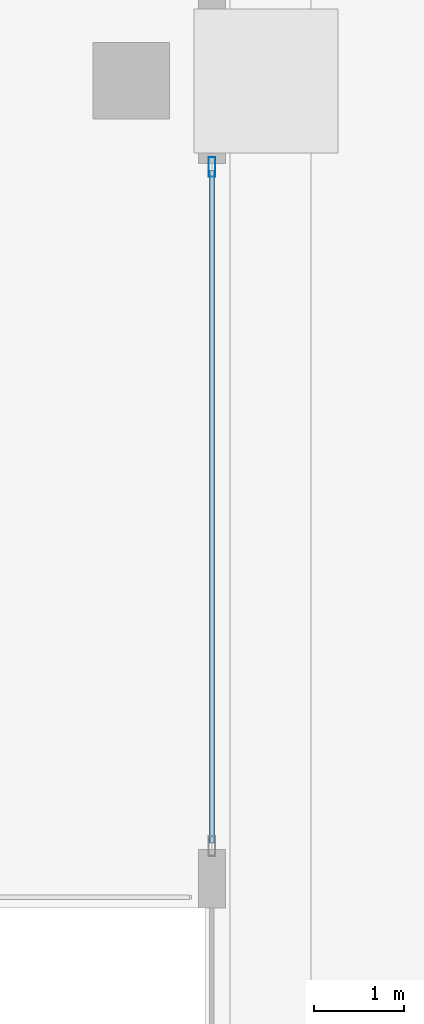
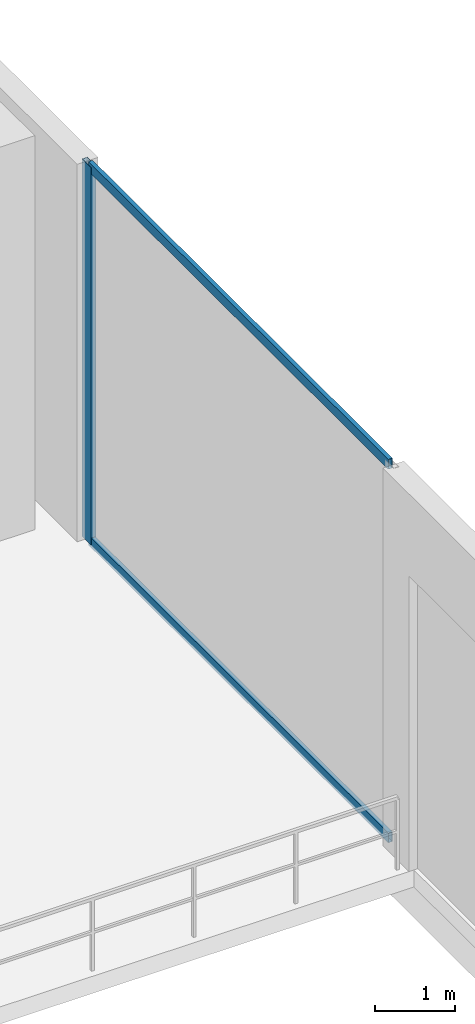
# One storey, part 23 of 39: 3 members, 1 element without a shape of its own.
"""IFC4 building model written with IfcOpenShell, lengths in metres."""

from ifc_helpers import new_model, si_unit, direction, frame, origin, origin_2d, place, context, subcontext, project, spatial, hollow_rectangle, extrude, material, layer, layer_set, material_profile, profile_set, type_object, element, aggregate, save


model = new_model("IFC4")

# Units and contexts
model_context = context("Model", 3, precision=1e-05, world=origin(), true_north=direction((0.0, 1.0)))
body_context = subcontext(model_context, "Body", "Model", "MODEL_VIEW")
ifc_project = project(units=[si_unit("LENGTHUNIT", "METRE"), si_unit("AREAUNIT", "SQUARE_METRE"), si_unit("VOLUMEUNIT", "CUBIC_METRE"), si_unit("PLANEANGLEUNIT", "RADIAN"), si_unit("MASSUNIT", "GRAM", prefix="KILO")], contexts=[model_context])

# Site, building, storey
site_placement = place(None, origin())
site = spatial("IfcSite", under=ifc_project, at=site_placement, CompositionType="ELEMENT")
building_placement = place(site_placement, origin())
building = spatial("IfcBuilding", under=site, at=building_placement, Name="Zuhayl Quay Hotel", CompositionType="ELEMENT")
storey_placement = place(building_placement, origin())
storey = spatial("IfcBuildingStorey", under=building, at=storey_placement, Name="L00", CompositionType="ELEMENT", Elevation=0.0)

# Curtain wall, members
ifc_material_1 = material(Name="Anodised Aluminium 6063-T6", Category="aluminium")
ifc_layer = layer(ifc_material_1, 0.199951171875, Name="Anodised Aluminium 6063-T6", Category="aluminium")
ifc_layer_set = layer_set([ifc_layer], Name="Anodised Aluminium 6063-T6")
curtain_wall_type = type_object("IfcCurtainWallType", Name="CW_SYS_POD", PredefinedType="USERDEFINED", material=ifc_layer_set)
curtain_wall_placement = place(storey_placement, origin())
curtain_wall = element("IfcCurtainWall", 1, at=curtain_wall_placement, inside=storey, type_object=curtain_wall_type, Name="L00 Curtain Wall ENV_L00_E08_CW2", ObjectType="UNITISED CURTAIN WALL", PredefinedType="USERDEFINED")
ifc_material_2 = material(Name="Black-anodised aluminium 6063-T6", Category="aluminium")
ifc_material_profile_1 = material_profile(ifc_material_2, hollow_rectangle(XDim=0.074951171875, YDim=0.219970703125, WallThickness=0.00390625, at=origin_2d()), Name="ALU220X75")
ifc_profile_set_1 = profile_set([ifc_material_profile_1], Name="Black-anodised aluminium 6063-T6")
member_type_1 = type_object("IfcMemberType", Name="MB_CW_MUL_220", PredefinedType="MULLION", material=ifc_profile_set_1)
member_1_placement = place(storey_placement, frame((36.0, -0.95751953125, 0.0), z_axis=(0.0, 0.0, 1.0), x_axis=(1.0, 0.0, 0.0)))
member_1 = element("IfcMember", 2, at=member_1_placement, type_object=member_type_1, Name="CW-POD mullion 1", PredefinedType="MULLION", context=body_context, shape_type="SweptSolid", body=[
    extrude(hollow_rectangle(XDim=0.074951171875, YDim=0.219970703125, WallThickness=0.00390625, at=origin_2d()), origin(), (0.0, 0.0, 1.0), 5.75),
])
ifc_material_profile_2 = material_profile(ifc_material_2, hollow_rectangle(XDim=0.06005859375, YDim=0.14990234375, WallThickness=0.00341796875, at=origin_2d()), Name="ALU150X60")
ifc_profile_set_2 = profile_set([ifc_material_profile_2], Name="Black-anodised aluminium 6063-T6")
member_type_2 = type_object("IfcMemberType", Name="MB_CW_TRN_150", PredefinedType="USERDEFINED", material=ifc_profile_set_2)
member_2_placement = place(storey_placement, frame((36.0, -0.9951171875, 0.030029296875), z_axis=(0.0, -1.0, 0.0), x_axis=(1.0, 0.0, 0.0)))
member_2 = element("IfcMember", 3, at=member_2_placement, type_object=member_type_2, Name="CW-POD transom 1.1", ObjectType="TRANSOM", PredefinedType="USERDEFINED", context=body_context, shape_type="SweptSolid", body=[
    extrude(hollow_rectangle(XDim=0.06005859375, YDim=0.14990234375, WallThickness=0.00341796875, at=origin_2d()), origin(), (0.0, 0.0, 1.0), 7.47998046875),
])
member_3_placement = place(storey_placement, frame((36.0, -0.9951171875, 5.719970703125), z_axis=(0.0, -1.0, 0.0), x_axis=(1.0, 0.0, 0.0)))
member_3 = element("IfcMember", 4, at=member_3_placement, type_object=member_type_2, Name="CW-POD transom 1.2", ObjectType="TRANSOM", PredefinedType="USERDEFINED", context=body_context, shape_type="SweptSolid", body=[
    extrude(hollow_rectangle(XDim=0.06005859375, YDim=0.14990234375, WallThickness=0.00341796875, at=origin_2d()), origin(), (0.0, 0.0, 1.0), 7.47998046875),
])
aggregate(curtain_wall, [member_1, member_2, member_3])

save(model, "model.ifc")
